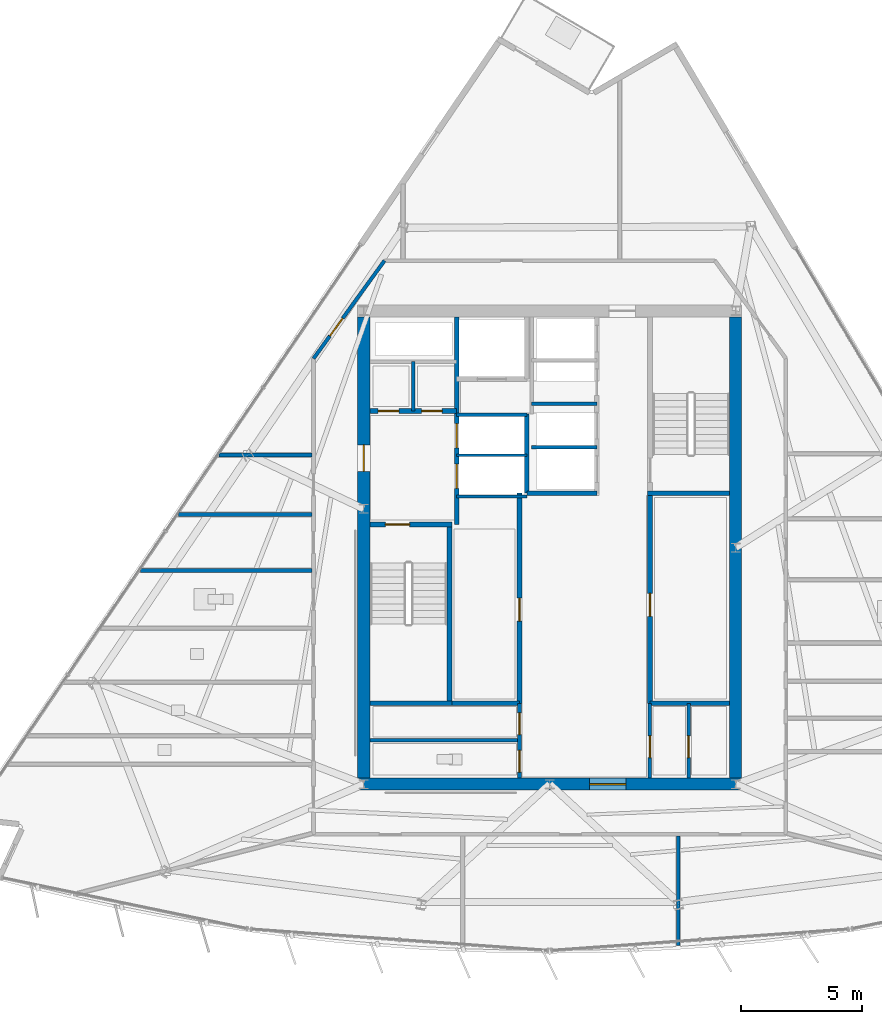
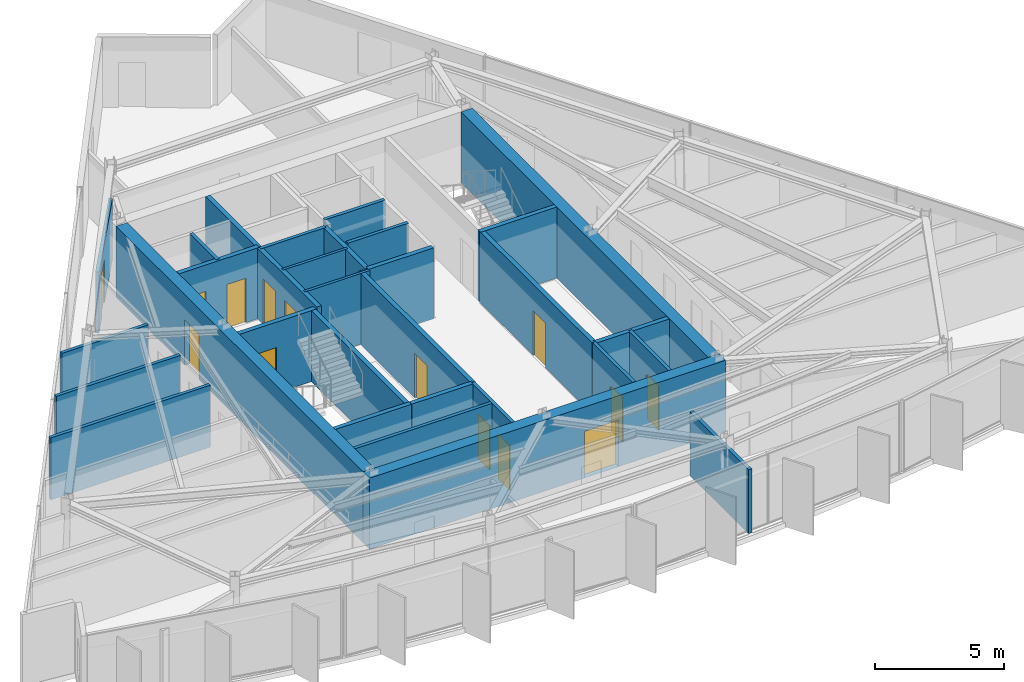
# One storey, part 7 of 13: 30 walls, 14 doors, 14 openings.
"""IFC4 building model written with IfcOpenShell, lengths in metres."""

from ifc_helpers import new_model, si_unit, direction, frame, frame_2d, origin, place, context, subcontext, project, spatial, rectangle, extrude, material, layer, layer_set, type_object, element, fill, save


model = new_model("IFC4")

# Units and contexts
model_context = context("Model", 3, precision=1e-05, world=origin(), true_north=direction((0.0, 1.0)))
body_context = subcontext(model_context, "Body", "Model", "MODEL_VIEW")
ifc_project = project(units=[si_unit("LENGTHUNIT", "METRE"), si_unit("AREAUNIT", "SQUARE_METRE"), si_unit("VOLUMEUNIT", "CUBIC_METRE"), si_unit("PLANEANGLEUNIT", "RADIAN"), si_unit("MASSUNIT", "GRAM", prefix="KILO")], contexts=[model_context])

# Site, building, storey
site_placement = place(None, origin())
site = spatial("IfcSite", under=ifc_project, at=site_placement, CompositionType="ELEMENT")
building_placement = place(site_placement, origin())
building = spatial("IfcBuilding", under=site, at=building_placement, Name="Savorim Split Tower", CompositionType="ELEMENT")
storey_placement = place(building_placement, frame((0.0, 0.0, 250.800048828125)))
storey = spatial("IfcBuildingStorey", under=building, at=storey_placement, Name="L66", CompositionType="ELEMENT", Elevation=250.800048828125)

# Wall, opening, door
ifc_material_1 = material(Name="Concrete C60/75", Category="concrete")
ifc_layer_1 = layer(ifc_material_1, 0.5)
ifc_layer_set_1 = layer_set([ifc_layer_1], Name="WAL-COR-SH500")
wall_type_1 = type_object("IfcWallType", Name="WAL-COR-SH500", PredefinedType="SHEAR", material=ifc_layer_set_1)
wall_1_placement = place(storey_placement, frame((-7.949951171875, -9.39990234375, 0.0), z_axis=(0.0, 0.0, 1.0), x_axis=(1.0, 0.0, 0.0)))
wall_1 = element("IfcWall", 1, at=wall_1_placement, inside=storey, type_object=wall_type_1, Name="L66 Offset Core South Shear Wall", PredefinedType="SHEAR", context=body_context, shape_type="SweptSolid", body=[
    extrude(rectangle(XDim=15.89990234375, YDim=0.5, at=frame_2d((7.949951171875, 0.0))), origin(), (0.0, 0.0, 1.0), 3.349853515625),
])
opening_1_placement = place(wall_1_placement, frame((9.60009765625, 0.0, 0.0)))
opening_1 = element("IfcOpeningElement", 2, at=opening_1_placement, cuts=wall_1, Name="Opening DI-02", PredefinedType="OPENING", context=body_context, shape_type="SweptSolid", body=[
    extrude(rectangle(XDim=1.5, YDim=2.199951171875, at=frame_2d((0.75, 1.10009765625))), frame((0.0, 0.260009765625, 0.0), z_axis=(0.0, -1.0, 0.0), x_axis=(1.0, 0.0, 0.0)), (0.0, 0.0, 1.0), 0.52001953125),
])
ifc_material_2 = material(Name="Timber Fire Door Leaf", Category="wood")
door_type_1 = type_object("IfcDoorType", Name="DOR-DBL-1500", OperationType="NOTDEFINED", PredefinedType="DOOR", material=ifc_material_2)
door_1_placement = place(opening_1_placement, origin())
door_1 = element("IfcDoor", 3, at=door_1_placement, inside=storey, type_object=door_type_1, Name="DOR-L66-COR-LLOB - L66 Lift Lobby Main Rated Door", OperationType="DOUBLE_DOOR_SINGLE_SWING", OverallHeight=2.199951171875, OverallWidth=1.5, PredefinedType="DOOR", context=body_context, shape_type="SweptSolid", body=[
    extrude(rectangle(XDim=1.5, YDim=2.199951171875, at=frame_2d((0.75, 1.10009765625))), frame((0.0, 0.02490234375, 0.0), z_axis=(0.0, -1.0, 0.0), x_axis=(1.0, 0.0, 0.0)), (0.0, 0.0, 1.0), 0.050048828125),
])
fill(opening_1, door_1)

wall_2_placement = place(storey_placement, frame((-7.699951171875, -9.14990234375, 0.0), z_axis=(0.0, 0.0, 1.0), x_axis=(0.0, 1.0, 0.0)))
wall_2 = element("IfcWall", 4, at=wall_2_placement, inside=storey, type_object=wall_type_1, Name="L66 Offset Core West Shear Wall", PredefinedType="SHEAR", context=body_context, shape_type="SweptSolid", body=[
    extrude(rectangle(XDim=19.099853515625, YDim=0.5, at=frame_2d((9.5498046875, 0.0))), origin(), (0.0, 0.0, 1.0), 3.349853515625),
])
opening_2_placement = place(wall_2_placement, frame((12.699951171875, 0.0, 0.0)))
opening_2 = element("IfcOpeningElement", 5, at=opening_2_placement, cuts=wall_2, Name="Opening DI-03", PredefinedType="OPENING", context=body_context, shape_type="SweptSolid", body=[
    extrude(rectangle(XDim=1.10009765625, YDim=2.14990234375, at=frame_2d((0.550048828125, 1.074951171875))), frame((0.0, 0.260009765625, 0.0), z_axis=(0.0, -1.0, 0.0), x_axis=(1.0, 0.0, 0.0)), (0.0, 0.0, 1.0), 0.52001953125),
])
door_type_2 = type_object("IfcDoorType", Name="DOR-FIR-1100", OperationType="NOTDEFINED", PredefinedType="DOOR", material=ifc_material_2)
door_2_placement = place(opening_2_placement, origin())
door_2 = element("IfcDoor", 6, at=door_2_placement, inside=storey, type_object=door_type_2, Name="DOR-L66-COR-FFLOB - L66 Firefighting Lobby Corridor Door", OperationType="SINGLE_SWING_RIGHT", OverallHeight=2.14990234375, OverallWidth=1.10009765625, PredefinedType="DOOR", context=body_context, shape_type="SweptSolid", body=[
    extrude(rectangle(XDim=1.10009765625, YDim=2.14990234375, at=frame_2d((0.550048828125, 1.074951171875))), frame((0.0, 0.02490234375, 0.0), z_axis=(0.0, -1.0, 0.0), x_axis=(1.0, 0.0, 0.0)), (0.0, 0.0, 1.0), 0.050048828125),
])
fill(opening_2, door_2)

# Wall
wall_3_placement = place(storey_placement, frame((7.699951171875, 9.949951171875, 0.0), z_axis=(0.0, 0.0, 1.0), x_axis=(0.0, -1.0, 0.0)))
element("IfcWall", 7, at=wall_3_placement, inside=storey, type_object=wall_type_1, Name="L66 Offset Core East Shear Wall", PredefinedType="SHEAR", context=body_context, shape_type="SweptSolid", body=[
    extrude(rectangle(XDim=19.099853515625, YDim=0.5, at=frame_2d((9.5498046875, 0.0))), origin(), (0.0, 0.0, 1.0), 3.349853515625),
])

# Wall, opening, door
ifc_material_3 = material(Name="Concrete C50/60", Category="concrete")
ifc_layer_2 = layer(ifc_material_3, 0.199951171875)
ifc_layer_set_2 = layer_set([ifc_layer_2], Name="WAL-INT-RC200")
wall_type_2 = type_object("IfcWallType", Name="WAL-INT-RC200", PredefinedType="SOLIDWALL", material=ifc_layer_set_2)
wall_4_placement = place(storey_placement, frame((-7.449951171875, 1.35009765625, 0.0), z_axis=(0.0, 0.0, 1.0), x_axis=(1.0, 0.0, 0.0)))
wall_4 = element("IfcWall", 8, at=wall_4_placement, inside=storey, type_object=wall_type_2, Name="L66 Structural Shaft Wall W-L66-CR01", PredefinedType="SOLIDWALL", context=body_context, shape_type="SweptSolid", body=[
    extrude(rectangle(XDim=3.39990234375, YDim=0.199951171875, at=frame_2d((1.699951171875, 0.0))), origin(), (0.0, 0.0, 1.0), 3.349853515625),
])
opening_3_placement = place(wall_4_placement, frame((0.64990234375, 0.0, 0.0)))
opening_3 = element("IfcOpeningElement", 9, at=opening_3_placement, cuts=wall_4, Name="Opening DI-04", PredefinedType="OPENING", context=body_context, shape_type="SweptSolid", body=[
    extrude(rectangle(XDim=1.0, YDim=2.14990234375, at=frame_2d((0.5, 1.074951171875))), frame((0.0, 0.10986328125, 0.0), z_axis=(0.0, -1.0, 0.0), x_axis=(1.0, 0.0, 0.0)), (0.0, 0.0, 1.0), 0.219970703125),
])
door_type_3 = type_object("IfcDoorType", Name="DOR-FIR-1000", OperationType="NOTDEFINED", PredefinedType="DOOR", material=ifc_material_2)
door_3_placement = place(opening_3_placement, origin())
door_3 = element("IfcDoor", 10, at=door_3_placement, inside=storey, type_object=door_type_3, Name="DR-L66-ST1 - L66 Stair ST-1 Enclosure Door", OperationType="SINGLE_SWING_LEFT", OverallHeight=2.14990234375, OverallWidth=1.0, PredefinedType="DOOR", context=body_context, shape_type="SweptSolid", body=[
    extrude(rectangle(XDim=1.0, YDim=2.14990234375, at=frame_2d((0.5, 1.074951171875))), frame((0.0, 0.02490234375, 0.0), z_axis=(0.0, -1.0, 0.0), x_axis=(1.0, 0.0, 0.0)), (0.0, 0.0, 1.0), 0.050048828125),
])
fill(opening_3, door_3)

# Wall
wall_5_placement = place(storey_placement, frame((-4.14990234375, -5.949951171875, 0.0), z_axis=(0.0, 0.0, 1.0), x_axis=(0.0, 1.0, 0.0)))
element("IfcWall", 11, at=wall_5_placement, inside=storey, type_object=wall_type_2, Name="L66 Structural Shaft Wall W-L66-CR02", PredefinedType="SOLIDWALL", context=body_context, shape_type="SweptSolid", body=[
    extrude(rectangle(XDim=7.199951171875, YDim=0.199951171875, at=frame_2d((3.60009765625, 0.0))), origin(), (0.0, 0.0, 1.0), 3.349853515625),
])

# Wall, openings, doors
wall_6_placement = place(storey_placement, frame((-3.85009765625, 1.35009765625, 0.0), z_axis=(0.0, 0.0, 1.0), x_axis=(0.0, 1.0, 0.0)))
wall_6 = element("IfcWall", 12, at=wall_6_placement, inside=storey, type_object=wall_type_2, Name="L66 Partition W-L66-CR03", PredefinedType="SOLIDWALL", context=body_context, shape_type="SweptSolid", body=[
    extrude(rectangle(XDim=8.594970703125, YDim=0.199951171875, at=frame_2d((4.29736328125, 0.0))), origin(), (0.0, 0.0, 1.0), 3.349853515625),
])
opening_4_placement = place(wall_6_placement, frame((1.5, 0.0, 0.0)))
opening_4 = element("IfcOpeningElement", 13, at=opening_4_placement, cuts=wall_6, Name="Opening LD-FFL", PredefinedType="OPENING", context=body_context, shape_type="SweptSolid", body=[
    extrude(rectangle(XDim=1.0, YDim=2.14990234375, at=frame_2d((0.5, 1.074951171875))), frame((0.0, 0.10986328125, 0.0), z_axis=(0.0, -1.0, 0.0), x_axis=(1.0, 0.0, 0.0)), (0.0, 0.0, 1.0), 0.219970703125),
])
opening_5_placement = place(wall_6_placement, frame((3.179931640625, 0.0, 0.0)))
opening_5 = element("IfcOpeningElement", 14, at=opening_5_placement, cuts=wall_6, Name="Opening LD-FFL", PredefinedType="OPENING", context=body_context, shape_type="SweptSolid", body=[
    extrude(rectangle(XDim=1.0, YDim=2.14990234375, at=frame_2d((0.5, 1.074951171875))), frame((0.0, 0.10986328125, 0.0), z_axis=(0.0, -1.0, 0.0), x_axis=(1.0, 0.0, 0.0)), (0.0, 0.0, 1.0), 0.219970703125),
])
ifc_material_4 = material(Name="Charcoal Anodised Aluminium", Category="aluminium")
door_type_4 = type_object("IfcDoorType", Name="DOR-SLD-LD1000", OperationType="NOTDEFINED", PredefinedType="DOOR", material=ifc_material_4)
door_4_placement = place(opening_4_placement, origin())
door_4 = element("IfcDoor", 15, at=door_4_placement, inside=storey, type_object=door_type_4, Name="DR-L66-LD-FFL1 - L66 Firefighting Lift FFL-1 Sliding Landing Door", OperationType="DOUBLE_DOOR_SLIDING", OverallHeight=2.14990234375, OverallWidth=1.0, PredefinedType="DOOR", context=body_context, shape_type="SweptSolid", body=[
    extrude(rectangle(XDim=1.0, YDim=2.14990234375, at=frame_2d((0.5, 1.074951171875))), frame((0.0, 0.02490234375, 0.0), z_axis=(0.0, -1.0, 0.0), x_axis=(1.0, 0.0, 0.0)), (0.0, 0.0, 1.0), 0.050048828125),
])
fill(opening_4, door_4)
door_5_placement = place(opening_5_placement, origin())
door_5 = element("IfcDoor", 16, at=door_5_placement, inside=storey, type_object=door_type_4, Name="DR-L66-LD-FFL2 - L66 Firefighting Lift FFL-2 Sliding Landing Door", OperationType="DOUBLE_DOOR_SLIDING", OverallHeight=2.14990234375, OverallWidth=1.0, PredefinedType="DOOR", context=body_context, shape_type="SweptSolid", body=[
    extrude(rectangle(XDim=1.0, YDim=2.14990234375, at=frame_2d((0.5, 1.074951171875))), frame((0.0, 0.02490234375, 0.0), z_axis=(0.0, -1.0, 0.0), x_axis=(1.0, 0.0, 0.0)), (0.0, 0.0, 1.0), 0.050048828125),
])
fill(opening_5, door_5)

wall_7_placement = place(storey_placement, frame((-7.445068359375, 6.050048828125, 0.0), z_axis=(0.0, 0.0, 1.0), x_axis=(1.0, 0.0, 0.0)))
wall_7 = element("IfcWall", 17, at=wall_7_placement, inside=storey, type_object=wall_type_2, Name="L66 Partition W-L66-CR04", PredefinedType="SOLIDWALL", context=body_context, shape_type="SweptSolid", body=[
    extrude(rectangle(XDim=3.594970703125, YDim=0.199951171875, at=frame_2d((1.79736328125, 0.0))), origin(), (0.0, 0.0, 1.0), 3.349853515625),
])
opening_6_placement = place(wall_7_placement, frame((0.344970703125, 0.0, 0.0)))
opening_6 = element("IfcOpeningElement", 18, at=opening_6_placement, cuts=wall_7, Name="Opening DI-12", PredefinedType="OPENING", context=body_context, shape_type="SweptSolid", body=[
    extrude(rectangle(XDim=0.85009765625, YDim=2.10009765625, at=frame_2d((0.425048828125, 1.050048828125))), frame((0.0, 0.10986328125, 0.0), z_axis=(0.0, -1.0, 0.0), x_axis=(1.0, 0.0, 0.0)), (0.0, 0.0, 1.0), 0.219970703125),
])
opening_7_placement = place(wall_7_placement, frame((2.14501953125, 0.0, 0.0)))
opening_7 = element("IfcOpeningElement", 19, at=opening_7_placement, cuts=wall_7, Name="Opening DI-12", PredefinedType="OPENING", context=body_context, shape_type="SweptSolid", body=[
    extrude(rectangle(XDim=0.85009765625, YDim=2.10009765625, at=frame_2d((0.425048828125, 1.050048828125))), frame((0.0, 0.10986328125, 0.0), z_axis=(0.0, -1.0, 0.0), x_axis=(1.0, 0.0, 0.0)), (0.0, 0.0, 1.0), 0.219970703125),
])
ifc_material_5 = material(Name="Galvanised Painted Steel Balustrade", Category="steel")
door_type_5 = type_object("IfcDoorType", Name="DOR-RIS-850", OperationType="NOTDEFINED", PredefinedType="DOOR", material=ifc_material_5)
door_6_placement = place(opening_6_placement, origin())
door_6 = element("IfcDoor", 20, at=door_6_placement, inside=storey, type_object=door_type_5, Name="DR-L66-ELR - L66 Electrical Riser Access Door", OperationType="SINGLE_SWING_RIGHT", OverallHeight=2.10009765625, OverallWidth=0.85009765625, PredefinedType="DOOR", context=body_context, shape_type="SweptSolid", body=[
    extrude(rectangle(XDim=0.85009765625, YDim=2.10009765625, at=frame_2d((0.425048828125, 1.050048828125))), frame((0.0, 0.02490234375, 0.0), z_axis=(0.0, -1.0, 0.0), x_axis=(1.0, 0.0, 0.0)), (0.0, 0.0, 1.0), 0.050048828125),
])
fill(opening_6, door_6)
door_7_placement = place(opening_7_placement, origin())
door_7 = element("IfcDoor", 21, at=door_7_placement, inside=storey, type_object=door_type_5, Name="DR-L66-TLR - L66 Telecom Riser Access Door", OperationType="SINGLE_SWING_LEFT", OverallHeight=2.10009765625, OverallWidth=0.85009765625, PredefinedType="DOOR", context=body_context, shape_type="SweptSolid", body=[
    extrude(rectangle(XDim=0.85009765625, YDim=2.10009765625, at=frame_2d((0.425048828125, 1.050048828125))), frame((0.0, 0.02490234375, 0.0), z_axis=(0.0, -1.0, 0.0), x_axis=(1.0, 0.0, 0.0)), (0.0, 0.0, 1.0), 0.050048828125),
])
fill(opening_7, door_7)

# Walls
wall_8_placement = place(storey_placement, frame((4.050048828125, 2.64990234375, 0.0), z_axis=(0.0, 0.0, 1.0), x_axis=(1.0, 0.0, 0.0)))
element("IfcWall", 22, at=wall_8_placement, inside=storey, type_object=wall_type_2, Name="L66 Structural Shaft Wall W-L66-CR08", PredefinedType="SOLIDWALL", context=body_context, shape_type="SweptSolid", body=[
    extrude(rectangle(XDim=3.39990234375, YDim=0.199951171875, at=frame_2d((1.699951171875, 0.0))), origin(), (0.0, 0.0, 1.0), 3.349853515625),
])
wall_9_placement = place(storey_placement, frame((-0.949951171875, 2.64990234375, 0.0), z_axis=(0.0, 0.0, 1.0), x_axis=(0.0, 1.0, 0.0)))
element("IfcWall", 23, at=wall_9_placement, inside=storey, type_object=wall_type_2, Name="L66 Partition W-L66-FFLW", PredefinedType="SOLIDWALL", context=body_context, shape_type="SweptSolid", body=[
    extrude(rectangle(XDim=3.27001953125, YDim=0.199951171875, at=frame_2d((1.635009765625, 0.0))), origin(), (0.0, 0.0, 1.0), 3.349853515625),
])

# Wall, opening, door
wall_10_placement = place(storey_placement, frame((4.14990234375, -6.050048828125, 0.0), z_axis=(0.0, 0.0, 1.0), x_axis=(0.0, 1.0, 0.0)))
wall_10 = element("IfcWall", 24, at=wall_10_placement, inside=storey, type_object=wall_type_2, Name="L66 Partition W-L66-B1FRONT", PredefinedType="SOLIDWALL", context=body_context, shape_type="SweptSolid", body=[
    extrude(rectangle(XDim=8.699951171875, YDim=0.199951171875, at=frame_2d((4.35009765625, 0.0))), origin(), (0.0, 0.0, 1.0), 3.349853515625),
])
opening_8_placement = place(wall_10_placement, frame((3.60009765625, 0.0, 0.0)))
opening_8 = element("IfcOpeningElement", 25, at=opening_8_placement, cuts=wall_10, Name="Opening DI-05", PredefinedType="OPENING", context=body_context, shape_type="SweptSolid", body=[
    extrude(rectangle(XDim=0.949951171875, YDim=2.10009765625, at=frame_2d((0.47509765625, 1.050048828125))), frame((0.0, 0.10986328125, 0.0), z_axis=(0.0, -1.0, 0.0), x_axis=(1.0, 0.0, 0.0)), (0.0, 0.0, 1.0), 0.219970703125),
])
door_type_6 = type_object("IfcDoorType", Name="DOR-FIR-950", OperationType="NOTDEFINED", PredefinedType="DOOR", material=ifc_material_2)
door_8_placement = place(opening_8_placement, origin())
door_8 = element("IfcDoor", 26, at=door_8_placement, inside=storey, type_object=door_type_6, Name="DR-L66-LV7B1 - L66 Shared Pantry and Linen Room Door", OperationType="SINGLE_SWING_RIGHT", OverallHeight=2.10009765625, OverallWidth=0.949951171875, PredefinedType="DOOR", context=body_context, shape_type="SweptSolid", body=[
    extrude(rectangle(XDim=0.949951171875, YDim=2.10009765625, at=frame_2d((0.47509765625, 1.050048828125))), frame((0.0, 0.02490234375, 0.0), z_axis=(0.0, -1.0, 0.0), x_axis=(1.0, 0.0, 0.0)), (0.0, 0.0, 1.0), 0.050048828125),
])
fill(opening_8, door_8)

wall_11_placement = place(storey_placement, frame((-1.25, -6.050048828125, 0.0), z_axis=(0.0, 0.0, 1.0), x_axis=(0.0, 1.0, 0.0)))
wall_11 = element("IfcWall", 27, at=wall_11_placement, inside=storey, type_object=wall_type_2, Name="L66 Partition W-L66-B2FRONT", PredefinedType="SOLIDWALL", context=body_context, shape_type="SweptSolid", body=[
    extrude(rectangle(XDim=8.699951171875, YDim=0.199951171875, at=frame_2d((4.35009765625, 0.0))), origin(), (0.0, 0.0, 1.0), 3.349853515625),
])
opening_9_placement = place(wall_11_placement, frame((3.39990234375, 0.0, 0.0)))
opening_9 = element("IfcOpeningElement", 28, at=opening_9_placement, cuts=wall_11, Name="Opening DI-05", PredefinedType="OPENING", context=body_context, shape_type="SweptSolid", body=[
    extrude(rectangle(XDim=0.949951171875, YDim=2.10009765625, at=frame_2d((0.47509765625, 1.050048828125))), frame((0.0, 0.10986328125, 0.0), z_axis=(0.0, -1.0, 0.0), x_axis=(1.0, 0.0, 0.0)), (0.0, 0.0, 1.0), 0.219970703125),
])
door_9_placement = place(opening_9_placement, origin())
door_9 = element("IfcDoor", 29, at=door_9_placement, inside=storey, type_object=door_type_6, Name="DR-L66-LV7B2 - L66 Housekeeping and Parcel Room Door", OperationType="SINGLE_SWING_LEFT", OverallHeight=2.10009765625, OverallWidth=0.949951171875, PredefinedType="DOOR", context=body_context, shape_type="SweptSolid", body=[
    extrude(rectangle(XDim=0.949951171875, YDim=2.10009765625, at=frame_2d((0.47509765625, 1.050048828125))), frame((0.0, 0.02490234375, 0.0), z_axis=(0.0, -1.0, 0.0), x_axis=(1.0, 0.0, 0.0)), (0.0, 0.0, 1.0), 0.050048828125),
])
fill(opening_9, door_9)

# Walls
wall_12_placement = place(storey_placement, frame((-0.949951171875, 2.64990234375, 0.0), z_axis=(0.0, 0.0, 1.0), x_axis=(1.0, 0.0, 0.0)))
element("IfcWall", 30, at=wall_12_placement, inside=storey, type_object=wall_type_2, Name="L66 Partition W-L66-B3SOUTH", PredefinedType="SOLIDWALL", context=body_context, shape_type="SweptSolid", body=[
    extrude(rectangle(XDim=2.89990234375, YDim=0.199951171875, at=frame_2d((1.449951171875, 0.0))), origin(), (0.0, 0.0, 1.0), 3.349853515625),
])
wall_13_placement = place(storey_placement, frame((-7.449951171875, -6.050048828125, 0.0), z_axis=(0.0, 0.0, 1.0), x_axis=(1.0, 0.0, 0.0)))
element("IfcWall", 31, at=wall_13_placement, inside=storey, type_object=wall_type_2, Name="L66 Structural Shaft Wall W-L66-KSEP-W", PredefinedType="SOLIDWALL", context=body_context, shape_type="SweptSolid", body=[
    extrude(rectangle(XDim=3.39990234375, YDim=0.199951171875, at=frame_2d((1.699951171875, 0.0))), origin(), (0.0, 0.0, 1.0), 3.349853515625),
])
wall_14_placement = place(storey_placement, frame((-4.0400390625, -6.050048828125, 0.0), z_axis=(0.0, 0.0, 1.0), x_axis=(1.0, 0.0, 0.0)))
element("IfcWall", 32, at=wall_14_placement, inside=storey, type_object=wall_type_2, Name="L66 Partition W-L66-KSEP-W2", PredefinedType="SOLIDWALL", context=body_context, shape_type="SweptSolid", body=[
    extrude(rectangle(XDim=2.7900390625, YDim=0.199951171875, at=frame_2d((1.39501953125, 0.0))), origin(), (0.0, 0.0, 1.0), 3.349853515625),
])
wall_15_placement = place(storey_placement, frame((4.14990234375, -6.050048828125, 0.0), z_axis=(0.0, 0.0, 1.0), x_axis=(1.0, 0.0, 0.0)))
element("IfcWall", 33, at=wall_15_placement, inside=storey, type_object=wall_type_2, Name="L66 Partition W-L66-KSEP-E", PredefinedType="SOLIDWALL", context=body_context, shape_type="SweptSolid", body=[
    extrude(rectangle(XDim=3.295166015625, YDim=0.199951171875, at=frame_2d((1.6474609375, 0.0))), origin(), (0.0, 0.0, 1.0), 3.349853515625),
])
ifc_material_6 = material(Name="Acoustic Gypsum Partition Board")
ifc_layer_3 = layer(ifc_material_6, 0.1201171875)
ifc_layer_set_3 = layer_set([ifc_layer_3], Name="WAL-PAR-120")
wall_type_3 = type_object("IfcWallType", Name="WAL-PAR-120", PredefinedType="PARTITIONING", material=ifc_layer_set_3)
for number, where, z_axis, x_axis, name in (
    (34, (-3.85009765625, 2.52001953125, 0.0), (0.0, 0.0, 1.0), (1.0, 0.0, 0.0), "L66 Partition W-L66-FFLD0"),
    (35, (-3.85009765625, 4.219970703125, 0.0), (0.0, 0.0, 1.0), (1.0, 0.0, 0.0), "L66 Partition W-L66-FFLD1"),
):
    element("IfcWall", number, at=place(storey_placement, frame(where, z_axis=z_axis, x_axis=x_axis)), inside=storey, type_object=wall_type_3, Name=name, PredefinedType="PARTITIONING", context=body_context, shape_type="SweptSolid", body=[
        extrude(rectangle(XDim=2.900146484375, YDim=0.1201171875, at=frame_2d((1.4501953125, 0.0))), origin(), (0.0, 0.0, 1.0), 3.349853515625),
    ])
ifc_layer_4 = layer(ifc_material_6, 0.14990234375)
ifc_layer_set_4 = layer_set([ifc_layer_4], Name="WAL-PAR-150")
wall_type_4 = type_object("IfcWallType", Name="WAL-PAR-150", PredefinedType="PARTITIONING", material=ifc_layer_set_4)
wall_16_placement = place(storey_placement, frame((-5.64990234375, 6.050048828125, 0.0), z_axis=(0.0, 0.0, 1.0), x_axis=(0.0, 1.0, 0.0)))
element("IfcWall", 36, at=wall_16_placement, inside=storey, type_object=wall_type_4, Name="L66 Partition W-L66-CR06", PredefinedType="PARTITIONING", context=body_context, shape_type="SweptSolid", body=[
    extrude(rectangle(XDim=2.050048828125, YDim=0.14990234375, at=frame_2d((1.02490234375, 0.0))), origin(), (0.0, 0.0, 1.0), 3.349853515625),
])
wall_17_placement = place(storey_placement, frame((-3.85009765625, 5.89990234375, 0.0), z_axis=(0.0, 0.0, 1.0), x_axis=(1.0, 0.0, 0.0)))
element("IfcWall", 37, at=wall_17_placement, inside=storey, type_object=wall_type_4, Name="L66 Partition W-L66-FFLD2", PredefinedType="PARTITIONING", context=body_context, shape_type="SweptSolid", body=[
    extrude(rectangle(XDim=2.900146484375, YDim=0.14990234375, at=frame_2d((1.4501953125, 0.0))), origin(), (0.0, 0.0, 1.0), 3.349853515625),
])
for number, where, z_axis, x_axis, name in (
    (38, (-0.75, 4.550048828125, 0.0), (0.0, 0.0, 1.0), (1.0, 0.0, 0.0), "L66 Partition W-L66-B3DIV1"),
    (39, (-0.75, 6.35009765625, 0.0), (0.0, 0.0, 1.0), (1.0, 0.0, 0.0), "L66 Partition W-L66-B3DIV2"),
):
    element("IfcWall", number, at=place(storey_placement, frame(where, z_axis=z_axis, x_axis=x_axis)), inside=storey, type_object=wall_type_4, Name=name, PredefinedType="PARTITIONING", context=body_context, shape_type="SweptSolid", body=[
        extrude(rectangle(XDim=2.699951171875, YDim=0.14990234375, at=frame_2d((1.35009765625, 0.0))), origin(), (0.0, 0.0, 1.0), 3.349853515625),
    ])

# Wall, openings, doors
wall_18_placement = place(storey_placement, frame((-1.25, -9.14501953125, 0.0), z_axis=(0.0, 0.0, 1.0), x_axis=(0.0, 1.0, 0.0)))
wall_18 = element("IfcWall", 40, at=wall_18_placement, inside=storey, type_object=wall_type_4, Name="L66 Partition W-L66-KLOB-W", PredefinedType="PARTITIONING", context=body_context, shape_type="SweptSolid", body=[
    extrude(rectangle(XDim=3.094970703125, YDim=0.14990234375, at=frame_2d((1.54736328125, 0.0))), origin(), (0.0, 0.0, 1.0), 3.349853515625),
])
opening_10_placement = place(wall_18_placement, frame((1.794921875, 0.0, 0.0)))
opening_10 = element("IfcOpeningElement", 41, at=opening_10_placement, cuts=wall_18, Name="Opening DI-06", PredefinedType="OPENING", context=body_context, shape_type="SweptSolid", body=[
    extrude(rectangle(XDim=0.89990234375, YDim=2.10009765625, at=frame_2d((0.449951171875, 1.050048828125))), frame((0.0, 0.0849609375, 0.0), z_axis=(0.0, -1.0, 0.0), x_axis=(1.0, 0.0, 0.0)), (0.0, 0.0, 1.0), 0.169921875),
])
opening_11_placement = place(wall_18_placement, frame((0.2451171875, 0.0, 0.0)))
opening_11 = element("IfcOpeningElement", 42, at=opening_11_placement, cuts=wall_18, Name="Opening DI-11", PredefinedType="OPENING", context=body_context, shape_type="SweptSolid", body=[
    extrude(rectangle(XDim=0.89990234375, YDim=2.10009765625, at=frame_2d((0.449951171875, 1.050048828125))), frame((0.0, 0.0849609375, 0.0), z_axis=(0.0, -1.0, 0.0), x_axis=(1.0, 0.0, 0.0)), (0.0, 0.0, 1.0), 0.169921875),
])
door_type_7 = type_object("IfcDoorType", Name="DOR-FIR-900", OperationType="NOTDEFINED", PredefinedType="DOOR", material=ifc_material_2)
door_10_placement = place(opening_10_placement, origin())
door_10 = element("IfcDoor", 43, at=door_10_placement, inside=storey, type_object=door_type_7, Name="DR-L66-K2CLN - L66 Cleaning Store Door", OperationType="SINGLE_SWING_LEFT", OverallHeight=2.10009765625, OverallWidth=0.89990234375, PredefinedType="DOOR", context=body_context, shape_type="SweptSolid", body=[
    extrude(rectangle(XDim=0.89990234375, YDim=2.10009765625, at=frame_2d((0.449951171875, 1.050048828125))), frame((0.0, 0.02490234375, 0.0), z_axis=(0.0, -1.0, 0.0), x_axis=(1.0, 0.0, 0.0)), (0.0, 0.0, 1.0), 0.050048828125),
])
fill(opening_10, door_10)
ifc_material_7 = material(Name="Oak Veneer Acoustic Door")
door_type_8 = type_object("IfcDoorType", Name="DOR-WC-900", OperationType="NOTDEFINED", PredefinedType="DOOR", material=ifc_material_7)
door_11_placement = place(opening_11_placement, origin())
door_11 = element("IfcDoor", 44, at=door_11_placement, inside=storey, type_object=door_type_8, Name="DR-L66-K2WC - L66 Core WC Door", OperationType="SINGLE_SWING_RIGHT", OverallHeight=2.10009765625, OverallWidth=0.89990234375, PredefinedType="DOOR", context=body_context, shape_type="SweptSolid", body=[
    extrude(rectangle(XDim=0.89990234375, YDim=2.10009765625, at=frame_2d((0.449951171875, 1.050048828125))), frame((0.0, 0.02490234375, 0.0), z_axis=(0.0, -1.0, 0.0), x_axis=(1.0, 0.0, 0.0)), (0.0, 0.0, 1.0), 0.050048828125),
])
fill(opening_11, door_11)

# Wall, opening, door
wall_19_placement = place(storey_placement, frame((4.14990234375, -9.14501953125, 0.0), z_axis=(0.0, 0.0, 1.0), x_axis=(0.0, 1.0, 0.0)))
wall_19 = element("IfcWall", 45, at=wall_19_placement, inside=storey, type_object=wall_type_4, Name="L66 Partition W-L66-KLOB-E", PredefinedType="PARTITIONING", context=body_context, shape_type="SweptSolid", body=[
    extrude(rectangle(XDim=3.094970703125, YDim=0.14990234375, at=frame_2d((1.54736328125, 0.0))), origin(), (0.0, 0.0, 1.0), 3.349853515625),
])
opening_12_placement = place(wall_19_placement, frame((0.844970703125, 0.0, 0.0)))
opening_12 = element("IfcOpeningElement", 46, at=opening_12_placement, cuts=wall_19, Name="Opening DI-06", PredefinedType="OPENING", context=body_context, shape_type="SweptSolid", body=[
    extrude(rectangle(XDim=0.89990234375, YDim=2.10009765625, at=frame_2d((0.449951171875, 1.050048828125))), frame((0.0, 0.0849609375, 0.0), z_axis=(0.0, -1.0, 0.0), x_axis=(1.0, 0.0, 0.0)), (0.0, 0.0, 1.0), 0.169921875),
])
door_12_placement = place(opening_12_placement, origin())
door_12 = element("IfcDoor", 47, at=door_12_placement, inside=storey, type_object=door_type_7, Name="DR-L66-K2PAN - L66 Vending Pantry Door", OperationType="SINGLE_SWING_LEFT", OverallHeight=2.10009765625, OverallWidth=0.89990234375, PredefinedType="DOOR", context=body_context, shape_type="SweptSolid", body=[
    extrude(rectangle(XDim=0.89990234375, YDim=2.10009765625, at=frame_2d((0.449951171875, 1.050048828125))), frame((0.0, 0.02490234375, 0.0), z_axis=(0.0, -1.0, 0.0), x_axis=(1.0, 0.0, 0.0)), (0.0, 0.0, 1.0), 0.050048828125),
])
fill(opening_12, door_12)

# Wall
wall_20_placement = place(storey_placement, frame((-7.445068359375, -7.580078125, 0.0), z_axis=(0.0, 0.0, 1.0), x_axis=(1.0, 0.0, 0.0)))
element("IfcWall", 48, at=wall_20_placement, inside=storey, type_object=wall_type_4, Name="L66 Partition W-L66-K2H", PredefinedType="PARTITIONING", context=body_context, shape_type="SweptSolid", body=[
    extrude(rectangle(XDim=6.195068359375, YDim=0.14990234375, at=frame_2d((3.09765625, 0.0))), origin(), (0.0, 0.0, 1.0), 3.349853515625),
])

# Wall, opening, door
wall_21_placement = place(storey_placement, frame((5.75, -9.14501953125, 0.0), z_axis=(0.0, 0.0, 1.0), x_axis=(0.0, 1.0, 0.0)))
wall_21 = element("IfcWall", 49, at=wall_21_placement, inside=storey, type_object=wall_type_4, Name="L66 Partition W-L66-K2E", PredefinedType="PARTITIONING", context=body_context, shape_type="SweptSolid", body=[
    extrude(rectangle(XDim=3.094970703125, YDim=0.14990234375, at=frame_2d((1.54736328125, 0.0))), origin(), (0.0, 0.0, 1.0), 3.349853515625),
])
opening_13_placement = place(wall_21_placement, frame((0.844970703125, 0.0, 0.0)))
opening_13 = element("IfcOpeningElement", 50, at=opening_13_placement, cuts=wall_21, Name="Opening DI-06", PredefinedType="OPENING", context=body_context, shape_type="SweptSolid", body=[
    extrude(rectangle(XDim=0.89990234375, YDim=2.10009765625, at=frame_2d((0.449951171875, 1.050048828125))), frame((0.0, 0.0849609375, 0.0), z_axis=(0.0, -1.0, 0.0), x_axis=(1.0, 0.0, 0.0)), (0.0, 0.0, 1.0), 0.169921875),
])
door_13_placement = place(opening_13_placement, origin())
door_13 = element("IfcDoor", 51, at=door_13_placement, inside=storey, type_object=door_type_7, Name="DR-L66-K2REF - L66 Recycling Room Door", OperationType="SINGLE_SWING_RIGHT", OverallHeight=2.10009765625, OverallWidth=0.89990234375, PredefinedType="DOOR", context=body_context, shape_type="SweptSolid", body=[
    extrude(rectangle(XDim=0.89990234375, YDim=2.10009765625, at=frame_2d((0.449951171875, 1.050048828125))), frame((0.0, 0.02490234375, 0.0), z_axis=(0.0, -1.0, 0.0), x_axis=(1.0, 0.0, 0.0)), (0.0, 0.0, 1.0), 0.050048828125),
])
fill(opening_13, door_13)

wall_22_placement = place(storey_placement, frame((-9.780029296875, 8.225830078125, 0.0), z_axis=(0.0, 0.0, 1.0), x_axis=(0.586956386413, 0.809618552436, 0.0)))
wall_22 = element("IfcWall", 52, at=wall_22_placement, inside=storey, type_object=wall_type_4, Name="L66 Partition W-L66-COR-02", PredefinedType="PARTITIONING", context=body_context, shape_type="SweptSolid", body=[
    extrude(rectangle(XDim=5.007568359375, YDim=0.14990234375, at=frame_2d((2.50390625, 0.0))), origin(), (0.0, 0.0, 1.0), 2.875),
])
opening_14_placement = place(wall_22_placement, frame((1.15380859375, 0.0, 0.0)))
opening_14 = element("IfcOpeningElement", 53, at=opening_14_placement, cuts=wall_22, Name="Opening DI-06", PredefinedType="OPENING", context=body_context, shape_type="SweptSolid", body=[
    extrude(rectangle(XDim=0.89990234375, YDim=2.10009765625, at=frame_2d((0.449951171875, 1.050048828125))), frame((0.0, 0.0849609375, 0.0), z_axis=(0.0, -1.0, 0.0), x_axis=(1.0, 0.0, 0.0)), (0.0, 0.0, 1.0), 0.169921875),
])
door_14_placement = place(opening_14_placement, origin())
door_14 = element("IfcDoor", 54, at=door_14_placement, inside=storey, type_object=door_type_7, Name="DR-L66-RM18 - L66 Co-Living Bedroom Entry Door", OperationType="SINGLE_SWING_LEFT", OverallHeight=2.10009765625, OverallWidth=0.89990234375, PredefinedType="DOOR", context=body_context, shape_type="SweptSolid", body=[
    extrude(rectangle(XDim=0.89990234375, YDim=2.10009765625, at=frame_2d((0.449951171875, 1.050048828125))), frame((0.0, 0.02490234375, 0.0), z_axis=(0.0, -1.0, 0.0), x_axis=(1.0, 0.0, 0.0)), (0.0, 0.0, 1.0), 0.050048828125),
])
fill(opening_14, door_14)

# Walls
wall_23_placement = place(storey_placement, frame((5.32568359375, -11.5400390625, 0.0), z_axis=(0.0, 0.0, 1.0), x_axis=(0.0, -1.0, 0.0)))
element("IfcWall", 55, at=wall_23_placement, inside=storey, type_object=wall_type_4, Name="L66 Partition W-L66-PRAD03", PredefinedType="PARTITIONING", context=body_context, shape_type="SweptSolid", body=[
    extrude(rectangle(XDim=4.530029296875, YDim=0.14990234375, at=frame_2d((2.26513671875, 0.0))), origin(), (0.0, 0.0, 1.0), 3.014892578125),
])
wall_24_placement = place(storey_placement, frame((-9.840087890625, 4.23193359375, 0.0), z_axis=(0.0, 0.0, 1.0), x_axis=(-1.0, 0.0, 0.0)))
element("IfcWall", 56, at=wall_24_placement, inside=storey, type_object=wall_type_4, Name="L66 Partition W-L66-PRAD09", PredefinedType="PARTITIONING", context=body_context, shape_type="SweptSolid", body=[
    extrude(rectangle(XDim=3.861328125, YDim=0.14990234375, at=frame_2d((1.9306640625, 0.0))), origin(), (0.0, 0.0, 1.0), 2.875),
])
wall_25_placement = place(storey_placement, frame((-9.840087890625, -0.548828125, 0.0), z_axis=(0.0, 0.0, 1.0), x_axis=(-1.0, 0.0, 0.0)))
element("IfcWall", 57, at=wall_25_placement, inside=storey, type_object=wall_type_4, Name="L66 Partition W-L66-SUB01", PredefinedType="PARTITIONING", context=body_context, shape_type="SweptSolid", body=[
    extrude(rectangle(XDim=7.11376953125, YDim=0.14990234375, at=frame_2d((3.556884765625, 0.0))), origin(), (0.0, 0.0, 1.0), 2.925048828125),
])
wall_26_placement = place(storey_placement, frame((-9.840087890625, 1.768310546875, 0.0), z_axis=(0.0, 0.0, 1.0), x_axis=(-1.0, 0.0, 0.0)))
element("IfcWall", 58, at=wall_26_placement, inside=storey, type_object=wall_type_4, Name="L66 Partition W-L66-SUB12", PredefinedType="PARTITIONING", context=body_context, shape_type="SweptSolid", body=[
    extrude(rectangle(XDim=5.537109375, YDim=0.14990234375, at=frame_2d((2.7685546875, 0.0))), origin(), (0.0, 0.0, 1.0), 2.925048828125),
])

save(model, "model.ifc")
